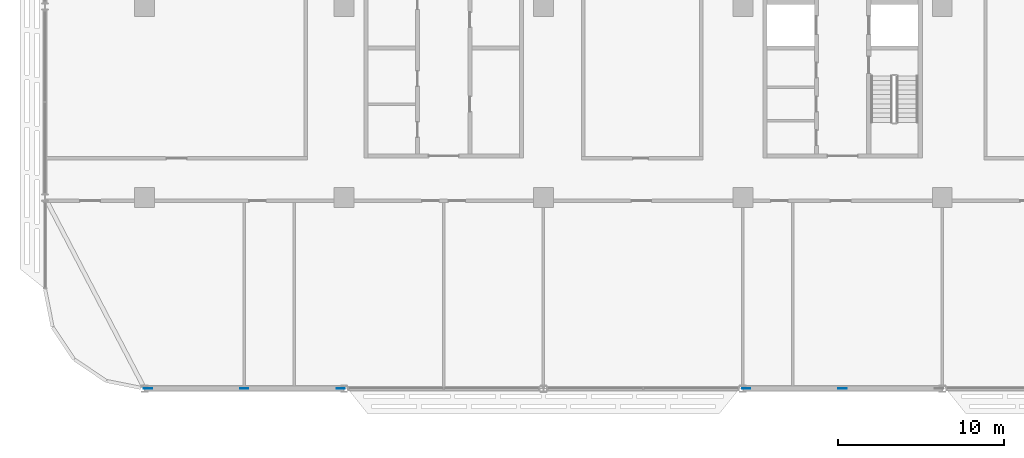
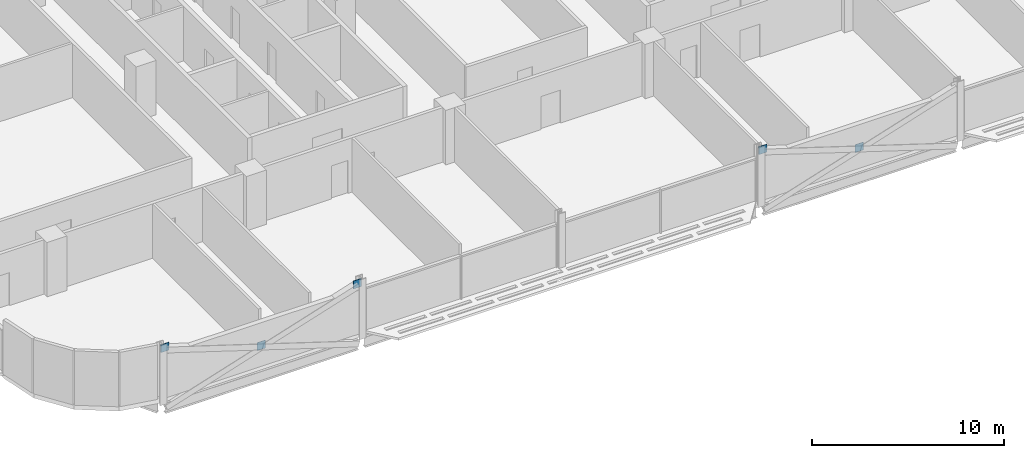
# One storey, part 17 of 27: 5 discrete accessories.
"""IFC4 building model written with IfcOpenShell, lengths in metres."""

from ifc_helpers import new_model, si_unit, direction, frame, origin, origin_2d, place, context, subcontext, project, spatial, rectangle, extrude, material, layer, layer_set, type_object, element, save


model = new_model("IFC4")

# Units and contexts
model_context = context("Model", 3, precision=1e-05, world=origin(), true_north=direction((0.0, 1.0)))
body_context = subcontext(model_context, "Body", "Model", "MODEL_VIEW")
ifc_project = project(units=[si_unit("LENGTHUNIT", "METRE"), si_unit("AREAUNIT", "SQUARE_METRE"), si_unit("VOLUMEUNIT", "CUBIC_METRE"), si_unit("PLANEANGLEUNIT", "RADIAN"), si_unit("MASSUNIT", "GRAM", prefix="KILO")], contexts=[model_context])

# Site, building, storey
site_placement = place(None, origin())
site = spatial("IfcSite", under=ifc_project, at=site_placement, CompositionType="ELEMENT")
building_placement = place(site_placement, origin())
building = spatial("IfcBuilding", under=site, at=building_placement, Name="Mahtab Terrace Research Tower", CompositionType="ELEMENT")
storey_placement = place(building_placement, frame((0.0, 0.0, 163.0)))
storey = spatial("IfcBuildingStorey", under=building, at=storey_placement, Name="L38", CompositionType="ELEMENT", Elevation=163.0)

# Discrete accessories
ifc_material = material(Name="Steel ASTM A992 Gr 50", Category="steel")
ifc_layer = layer(ifc_material, 0.030029296875)
ifc_layer_set = layer_set([ifc_layer], Name="Gusset plate 500x500x30")
discrete_accessory_type = type_object("IfcDiscreteAccessoryType", Name="Gusset plate 500x500x30", PredefinedType="USERDEFINED", material=ifc_layer_set)
for number, where, z_axis, x_axis, name in (
    (1, (-41.796875, -23.0, 2.870849609375), (0.0, 0.0, 1.0), (1.0, 0.0, 0.0), "Gusset plate"),
    (2, (-36.0, -23.0, 0.970947265625), (0.0, 0.0, 1.0), (1.0, 0.0, 0.0), "Gusset plate"),
    (3, (-30.203125, -23.0, 2.870849609375), (0.0, 0.0, 1.0), (1.0, 0.0, 0.0), "Gusset plate"),
    (4, (-5.796875, -23.0, 2.870849609375), (0.0, 0.0, 1.0), (1.0, 0.0, 0.0), "Gusset plate"),
    (5, (0.0, -23.0, 0.970947265625), (0.0, 0.0, 1.0), (1.0, 0.0, 0.0), "Gusset plate"),
):
    element("IfcDiscreteAccessory", number, at=place(storey_placement, frame(where, z_axis=z_axis, x_axis=x_axis)), inside=storey, type_object=discrete_accessory_type, Name=name, ObjectType="GUSSET PLATE", PredefinedType="USERDEFINED", context=body_context, shape_type="SweptSolid", body=[
        extrude(rectangle(XDim=0.5, YDim=0.030029296875, at=origin_2d()), origin(), (0.0, 0.0, 1.0), 0.5),
    ])

save(model, "model.ifc")
